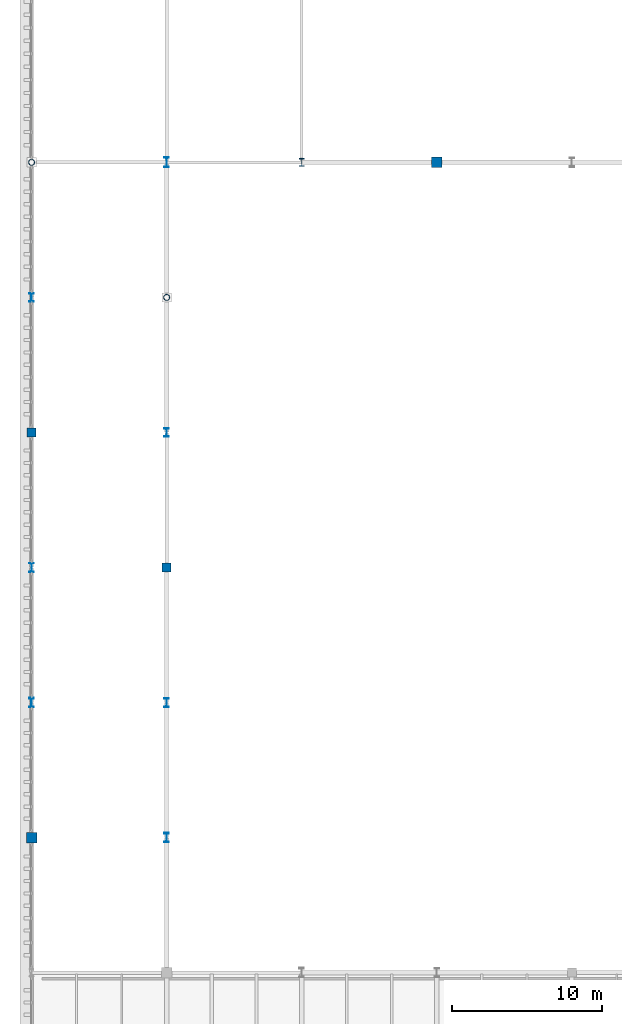
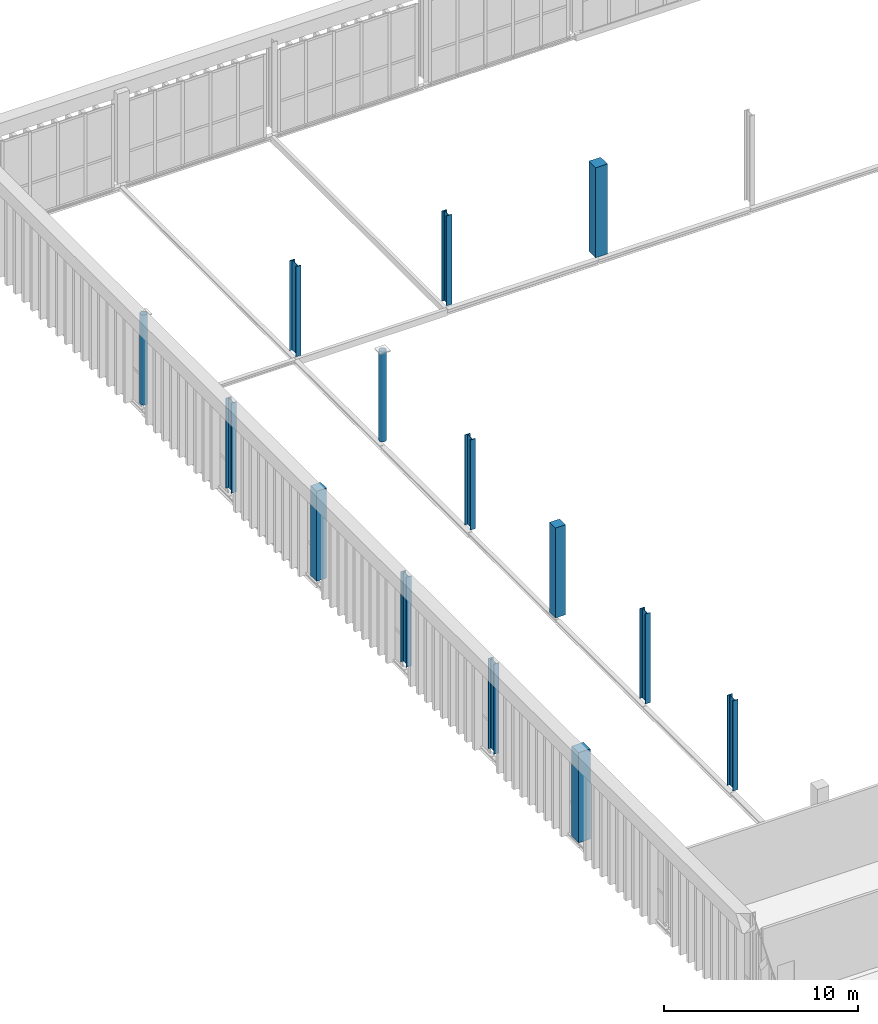
# One storey, part 8 of 237: 14 columns.
"""IFC4 building model written with IfcOpenShell, lengths in metres."""

import ifcopenshell
import ifcopenshell.guid

model = None  # the IFC model being written
_history = None  # IfcOwnerHistory: only IFC2X3 demands one
_inside = {}  # id of a spatial element -> (the spatial element, [elements in it])
_under = {}  # id of a project, library or spatial element -> (it, [spatial elements below it])
_declared = {}  # id of a project -> (the project, [libraries it declares])
_typed = {}  # id of a type object -> (the type object, [elements of that type])
_made_of = {}  # id of a material, layer set ... -> (it, [elements and type objects made of it])


def new_model(schema):
    """Start an empty IFC model of exactly this schema.

    Asked for "IFC4X3", IfcOpenShell would pick the latest addendum, in which some entities
    have other attributes; the version numbers below select the first issue.
    IFC2X3 requires an IfcOwnerHistory on every rooted entity: one is made here for all.
    """
    global model, _history
    if schema == "IFC4X3":
        model = ifcopenshell.file(schema_version=(4, 3, 0, 0))
    else:
        model = ifcopenshell.file(schema=schema)
    _inside.clear()
    _under.clear()
    _declared.clear()
    _typed.clear()
    _made_of.clear()
    _history = None
    if model.schema == "IFC2X3":
        org = make("IfcOrganization", Name="unknown")
        user = make(
            "IfcPersonAndOrganization",
            ThePerson=make("IfcPerson", FamilyName="unknown"),
            TheOrganization=org,
        )
        app = make(
            "IfcApplication",
            ApplicationDeveloper=org,
            Version="unknown",
            ApplicationFullName="unknown",
            ApplicationIdentifier="unknown",
        )
        _history = make(
            "IfcOwnerHistory",
            OwningUser=user,
            OwningApplication=app,
            ChangeAction="ADDED",
            CreationDate=0,
        )
    return model


def make(cls, **values):
    """One entity of the class cls with the attributes given. An attribute that is None is left unset."""
    return model.create_entity(
        cls, **{name: value for name, value in values.items() if value is not None}
    )


def rooted(cls, **values):
    """An entity with a GlobalId (a new one), such as an element, a storey or a relation."""
    return make(cls, GlobalId=ifcopenshell.guid.new(), OwnerHistory=_history, **values)


def si_unit(unit_type, name, prefix=None):
    """IfcSIUnit, for example si_unit("LENGTHUNIT", "METRE", prefix="MILLI")."""
    return make("IfcSIUnit", UnitType=unit_type, Prefix=prefix, Name=name)


def assignment(units):
    """IfcUnitAssignment: the units of a project."""
    return None if units is None else make("IfcUnitAssignment", Units=units)


def point(xyz):
    """IfcCartesianPoint."""
    return None if xyz is None else make("IfcCartesianPoint", Coordinates=xyz)


def direction(xyz):
    """IfcDirection."""
    return None if xyz is None else make("IfcDirection", DirectionRatios=xyz)


def frame(location, z_axis=None, x_axis=None):
    """IfcAxis2Placement3D, a coordinate frame: its origin and axes. An axis left out is left unset."""
    return make(
        "IfcAxis2Placement3D",
        Location=point(location),
        Axis=direction(z_axis),
        RefDirection=direction(x_axis),
    )


def frame_2d(location, x_axis=None):
    """IfcAxis2Placement2D, a coordinate frame in the plane: its origin and x axis."""
    return make(
        "IfcAxis2Placement2D", Location=point(location), RefDirection=direction(x_axis)
    )


def origin():
    """The frame at (0, 0, 0) with its axes left unset."""
    return frame((0.0, 0.0, 0.0))


def origin_2d():
    """The frame at (0, 0) in the plane with its x axis left unset."""
    return frame_2d((0.0, 0.0))


def place(relative_to, where):
    """IfcLocalPlacement: puts the frame where relative to a parent placement (None: the world)."""
    return make(
        "IfcLocalPlacement", PlacementRelTo=relative_to, RelativePlacement=where
    )


def context(
    kind, dimensions, precision=None, world=None, true_north=None, identifier=None
):
    """IfcGeometricRepresentationContext, for example the 3D "Model" context."""
    return make(
        "IfcGeometricRepresentationContext",
        ContextIdentifier=identifier,
        ContextType=kind,
        CoordinateSpaceDimension=dimensions,
        Precision=precision,
        WorldCoordinateSystem=world,
        TrueNorth=true_north,
    )


def subcontext(parent, identifier, kind, view, scale=None):
    """IfcGeometricRepresentationSubContext, for example "Body" below "Model"."""
    return make(
        "IfcGeometricRepresentationSubContext",
        ContextIdentifier=identifier,
        ContextType=kind,
        ParentContext=parent,
        TargetScale=scale,
        TargetView=view,
    )


def project(units=None, contexts=None):
    """IfcProject with its units and contexts."""
    return rooted(
        "IfcProject",
        Name="project",
        RepresentationContexts=contexts,
        UnitsInContext=assignment(units),
    )


def spatial(cls, under=None, at=None, **own):
    """A site, building, storey or space (cls), placed at a placement, below another one or the project."""
    s = rooted(cls, ObjectPlacement=at, **own)
    if under is not None:
        _under.setdefault(under.id(), (under, []))[1].append(s)
    return s


def profile(cls, at=None, kind="AREA", **sizes):
    """A parametric profile (cls). Its sizes go by their IFC names, for example OverallWidth=200.0."""
    return make(cls, ProfileType=kind, Position=at, **sizes)


def rectangle(**sizes):
    """IfcRectangleProfileDef."""
    return profile("IfcRectangleProfileDef", **sizes)


def hollow_circle(**sizes):
    """IfcCircleHollowProfileDef."""
    return profile("IfcCircleHollowProfileDef", **sizes)


def i_section(**sizes):
    """IfcIShapeProfileDef."""
    return profile("IfcIShapeProfileDef", **sizes)


def extrude(swept, where, along, depth):
    """IfcExtrudedAreaSolid: the profile swept, set in the frame where, extruded along a direction by depth."""
    return make(
        "IfcExtrudedAreaSolid",
        SweptArea=swept,
        Position=where,
        ExtrudedDirection=direction(along),
        Depth=depth,
    )


def shape(context_of_items, identifier, shape_type, items):
    """IfcShapeRepresentation: the items that make up one representation, for example the "Body"."""
    return make(
        "IfcShapeRepresentation",
        ContextOfItems=context_of_items,
        RepresentationIdentifier=identifier,
        RepresentationType=shape_type,
        Items=items,
    )


def material(Name=None, Category=None):
    """IfcMaterial."""
    return make("IfcMaterial", Name=Name, Category=Category)


def material_profile(
    of_material, cross_section, Name=None, Category=None, Priority=None
):
    """IfcMaterialProfile: a cross section and its material."""
    return make(
        "IfcMaterialProfile",
        Name=Name,
        Material=of_material,
        Profile=cross_section,
        Priority=Priority,
        Category=Category,
    )


def profile_set(profiles, Name=None, composite=None):
    """IfcMaterialProfileSet."""
    return make(
        "IfcMaterialProfileSet",
        Name=Name,
        MaterialProfiles=profiles,
        CompositeProfile=composite,
    )


def made_of(thing, what):
    """Note that an element or type object is made of a material, layer set ...; save() writes the relation."""
    if what is not None:
        _made_of.setdefault(what.id(), (what, []))[1].append(thing)
    return thing


def type_object(cls, material=None, **own):
    """A type object (cls), such as IfcWallType, which elements share."""
    return made_of(rooted(cls, **own), material)


def element(
    cls,
    number,
    at=None,
    inside=None,
    cuts=None,
    type_object=None,
    material=None,
    context=None,
    identifier="Body",
    shape_type=None,
    held_by="IfcProductDefinitionShape",
    body=None,
    shapes=None,
    **own,
):
    """One element of the class cls, such as IfcWall. Its Tag is "e" and its number.

    at: its placement. inside: the storey or other place that contains it. cuts: it is an
    opening in that element (IfcRelVoidsElement). A single representation is given by context,
    identifier, shape_type and body (its items); several are given by shapes. held_by: the class
    of the entity that holds the representations. save() writes the other relations.
    """
    e = rooted(cls, Tag="e%d" % number, ObjectPlacement=at, **own)
    if body is not None:
        shapes = [shape(context, identifier, shape_type, body)]
    if shapes is not None:
        e.Representation = make(held_by, Representations=shapes)
    if inside is not None:
        _inside.setdefault(inside.id(), (inside, []))[1].append(e)
    if cuts is not None:
        rooted(
            "IfcRelVoidsElement", RelatingBuildingElement=cuts, RelatedOpeningElement=e
        )
    if type_object is not None:
        _typed.setdefault(type_object.id(), (type_object, []))[1].append(e)
    return made_of(e, material)


def aggregate(whole, parts):
    """IfcRelAggregates: a whole, such as a stair, and the parts it consists of."""
    return rooted("IfcRelAggregates", RelatingObject=whole, RelatedObjects=parts)


def save(model, path):
    """Write the relations noted so far, then the file.

    IfcRelAggregates (storeys below a building ...), IfcRelContainedInSpatialStructure (elements
    in a storey), IfcRelDefinesByType, IfcRelAssociatesMaterial and IfcRelDeclares: one each for
    every whole, place, type object, material and project.
    """
    for whole, parts in _under.values():
        aggregate(whole, parts)
    for where, things in _inside.values():
        rooted(
            "IfcRelContainedInSpatialStructure",
            RelatedElements=things,
            RelatingStructure=where,
        )
    for kind, things in _typed.values():
        rooted("IfcRelDefinesByType", RelatedObjects=things, RelatingType=kind)
    for what, things in _made_of.values():
        rooted("IfcRelAssociatesMaterial", RelatedObjects=things, RelatingMaterial=what)
    for by, libraries in _declared.values():
        rooted("IfcRelDeclares", RelatingContext=by, RelatedDefinitions=libraries)
    model.write(path)


model = new_model("IFC4")

# Units and contexts
model_context = context("Model", 3, precision=1e-05, world=origin(), true_north=direction((0.0, 1.0)))
body_context = subcontext(model_context, "Body", "Model", "MODEL_VIEW")
ifc_project = project(units=[si_unit("LENGTHUNIT", "METRE"), si_unit("AREAUNIT", "SQUARE_METRE"), si_unit("VOLUMEUNIT", "CUBIC_METRE"), si_unit("PLANEANGLEUNIT", "RADIAN"), si_unit("MASSUNIT", "GRAM", prefix="KILO")], contexts=[model_context])

# Site, building, storey
site_placement = place(None, origin())
site = spatial("IfcSite", under=ifc_project, at=site_placement, CompositionType="ELEMENT")
building_placement = place(site_placement, origin())
building = spatial("IfcBuilding", under=site, at=building_placement, Name="Barlavento Convention Centre", CompositionType="ELEMENT")
storey_placement = place(building_placement, frame((0.0, 0.0, 12.0)))
storey = spatial("IfcBuildingStorey", under=building, at=storey_placement, Name="L02", CompositionType="ELEMENT", Elevation=12.0)

# Columns
ifc_material_1 = material(Name="Steel S355", Category="steel")
ifc_material_profile_1 = material_profile(ifc_material_1, hollow_circle(Radius=0.203125, WallThickness=0.01611328125, at=origin_2d()), Name="CHS 406.4x16.0")
ifc_profile_set_1 = profile_set([ifc_material_profile_1], Name="Steel S355")
column_type_1 = type_object("IfcColumnType", Name="STR-COL-CHS406", PredefinedType="COLUMN", material=ifc_profile_set_1)
for number, where, z_axis, x_axis, name in (
    (1, (0.0, 117.0, 0.0), (0.0, 0.0, 1.0), (1.0, 0.0, 0.0), "L02 column SC14"),
    (2, (9.0, 108.0, 0.0), (0.0, 0.0, 1.0), (1.0, 0.0, 0.0), "L02 column SC14"),
):
    element("IfcColumn", number, at=place(storey_placement, frame(where, z_axis=z_axis, x_axis=x_axis)), inside=storey, type_object=column_type_1, Name=name, PredefinedType="COLUMN", context=body_context, shape_type="SweptSolid", body=[
        extrude(hollow_circle(Radius=0.203125, WallThickness=0.01611328125, at=origin_2d()), origin(), (0.0, 0.0, 1.0), 5.655029296875),
    ])
ifc_material_profile_2 = material_profile(ifc_material_1, i_section(OverallWidth=0.300048828125, OverallDepth=0.60009765625, WebThickness=0.015380859375, FlangeThickness=0.030029296875, FilletRadius=0.027099609375, at=origin_2d()), Name="HEB 600")
ifc_profile_set_2 = profile_set([ifc_material_profile_2], Name="Steel S355")
column_type_2 = type_object("IfcColumnType", Name="STR-COL-HEB600", PredefinedType="COLUMN", material=ifc_profile_set_2)
for number, where, z_axis, x_axis, name in (
    (3, (0.0, 90.0, 0.0), (0.0, 0.0, 1.0), (1.0, 0.0, 0.0), "L02 column SC08"),
    (4, (9.0, 81.0, 0.0), (0.0, 0.0, 1.0), (1.0, 0.0, 0.0), "L02 column SC08"),
):
    element("IfcColumn", number, at=place(storey_placement, frame(where, z_axis=z_axis, x_axis=x_axis)), inside=storey, type_object=column_type_2, Name=name, PredefinedType="COLUMN", context=body_context, shape_type="SweptSolid", body=[
        extrude(i_section(OverallWidth=0.300048828125, OverallDepth=0.60009765625, WebThickness=0.015380859375, FlangeThickness=0.030029296875, FilletRadius=0.027099609375, at=origin_2d()), origin(), (0.0, 0.0, 1.0), 5.655029296875),
    ])
ifc_material_profile_3 = material_profile(ifc_material_1, i_section(OverallWidth=0.305908203125, OverallDepth=0.52392578125, WebThickness=0.02099609375, FlangeThickness=0.0400390625, FilletRadius=0.027099609375, at=origin_2d()), Name="HEM 500")
ifc_profile_set_3 = profile_set([ifc_material_profile_3], Name="Steel S355")
column_type_3 = type_object("IfcColumnType", Name="STR-COL-HEM500", PredefinedType="COLUMN", material=ifc_profile_set_3)
column_1_placement = place(storey_placement, frame((18.0, 117.0, 0.0), z_axis=(0.0, 0.0, 1.0), x_axis=(1.0, 0.0, 0.0)))
element("IfcColumn", 5, at=column_1_placement, inside=storey, type_object=column_type_3, Name="L02 column SC07", PredefinedType="COLUMN", context=body_context, shape_type="SweptSolid", body=[
    extrude(i_section(OverallWidth=0.305908203125, OverallDepth=0.52392578125, WebThickness=0.02099609375, FlangeThickness=0.0400390625, FilletRadius=0.027099609375, at=origin_2d()), origin(), (0.0, 0.0, 1.0), 5.655029296875),
])
ifc_material_profile_4 = material_profile(ifc_material_1, i_section(OverallWidth=0.305908203125, OverallDepth=0.572021484375, WebThickness=0.02099609375, FlangeThickness=0.0400390625, FilletRadius=0.027099609375, at=origin_2d()), Name="HEM 550")
ifc_profile_set_4 = profile_set([ifc_material_profile_4], Name="Steel S355")
column_type_4 = type_object("IfcColumnType", Name="STR-COL-HEM550", PredefinedType="COLUMN", material=ifc_profile_set_4)
for number, where, z_axis, x_axis, name in (
    (6, (0.0, 108.0, 0.0), (0.0, 0.0, 1.0), (1.0, 0.0, 0.0), "L02 column SC06"),
    (7, (9.0, 99.0, 0.0), (0.0, 0.0, 1.0), (1.0, 0.0, 0.0), "L02 column SC06"),
):
    element("IfcColumn", number, at=place(storey_placement, frame(where, z_axis=z_axis, x_axis=x_axis)), inside=storey, type_object=column_type_4, Name=name, PredefinedType="COLUMN", context=body_context, shape_type="SweptSolid", body=[
        extrude(i_section(OverallWidth=0.305908203125, OverallDepth=0.572021484375, WebThickness=0.02099609375, FlangeThickness=0.0400390625, FilletRadius=0.027099609375, at=origin_2d()), origin(), (0.0, 0.0, 1.0), 5.655029296875),
    ])
ifc_material_profile_5 = material_profile(ifc_material_1, i_section(OverallWidth=0.304931640625, OverallDepth=0.6201171875, WebThickness=0.02099609375, FlangeThickness=0.0400390625, FilletRadius=0.027099609375, at=origin_2d()), Name="HEM 600")
ifc_profile_set_5 = profile_set([ifc_material_profile_5], Name="Steel S355")
column_type_5 = type_object("IfcColumnType", Name="STR-COL-HEM600", PredefinedType="COLUMN", material=ifc_profile_set_5)
for number, where, z_axis, x_axis, name in (
    (8, (0.0, 81.0, 0.0), (0.0, 0.0, 1.0), (1.0, 0.0, 0.0), "L02 column SC05"),
    (9, (9.0, 72.0, 0.0), (0.0, 0.0, 1.0), (1.0, 0.0, 0.0), "L02 column SC05"),
):
    element("IfcColumn", number, at=place(storey_placement, frame(where, z_axis=z_axis, x_axis=x_axis)), inside=storey, type_object=column_type_5, Name=name, PredefinedType="COLUMN", context=body_context, shape_type="SweptSolid", body=[
        extrude(i_section(OverallWidth=0.304931640625, OverallDepth=0.6201171875, WebThickness=0.02099609375, FlangeThickness=0.0400390625, FilletRadius=0.027099609375, at=origin_2d()), origin(), (0.0, 0.0, 1.0), 5.655029296875),
    ])
ifc_material_2 = material(Name="Steel S460", Category="steel")
ifc_material_profile_6 = material_profile(ifc_material_2, i_section(OverallWidth=0.304931640625, OverallDepth=0.66796875, WebThickness=0.02099609375, FlangeThickness=0.0400390625, FilletRadius=0.027099609375, at=origin_2d()), Name="HEM 650")
ifc_profile_set_6 = profile_set([ifc_material_profile_6], Name="Steel S460")
column_type_6 = type_object("IfcColumnType", Name="STR-COL-HEM650", PredefinedType="COLUMN", material=ifc_profile_set_6)
column_2_placement = place(storey_placement, frame((9.0, 117.0, 0.0), z_axis=(0.0, 0.0, 1.0), x_axis=(1.0, 0.0, 0.0)))
element("IfcColumn", 10, at=column_2_placement, inside=storey, type_object=column_type_6, Name="L02 column SC04", PredefinedType="COLUMN", context=body_context, shape_type="SweptSolid", body=[
    extrude(i_section(OverallWidth=0.304931640625, OverallDepth=0.66796875, WebThickness=0.02099609375, FlangeThickness=0.0400390625, FilletRadius=0.027099609375, at=origin_2d()), origin(), (0.0, 0.0, 1.0), 5.655029296875),
])
ifc_material_3 = material(Name="Concrete C40/50", Category="concrete")
ifc_material_profile_7 = material_profile(ifc_material_3, rectangle(XDim=0.60009765625, YDim=0.60009765625, at=origin_2d()), Name="RC 600x600")
ifc_profile_set_7 = profile_set([ifc_material_profile_7], Name="Concrete C40/50")
column_type_7 = type_object("IfcColumnType", Name="STR-COL-RC600", PredefinedType="COLUMN", material=ifc_profile_set_7)
for number, where, z_axis, x_axis, name in (
    (11, (0.0, 99.0, 0.0), (0.0, 0.0, 1.0), (1.0, 0.0, 0.0), "L02 column CC07"),
    (12, (9.0, 90.0, 0.0), (0.0, 0.0, 1.0), (1.0, 0.0, 0.0), "L02 column CC07"),
):
    element("IfcColumn", number, at=place(storey_placement, frame(where, z_axis=z_axis, x_axis=x_axis)), inside=storey, type_object=column_type_7, Name=name, PredefinedType="COLUMN", context=body_context, shape_type="SweptSolid", body=[
        extrude(rectangle(XDim=0.60009765625, YDim=0.60009765625, at=origin_2d()), origin(), (0.0, 0.0, 1.0), 5.655029296875),
    ])
ifc_material_profile_8 = material_profile(ifc_material_3, rectangle(XDim=0.699951171875, YDim=0.699951171875, at=origin_2d()), Name="RC 700x700")
ifc_profile_set_8 = profile_set([ifc_material_profile_8], Name="Concrete C40/50")
column_type_8 = type_object("IfcColumnType", Name="STR-COL-RC700", PredefinedType="COLUMN", material=ifc_profile_set_8)
for number, where, z_axis, x_axis, name in (
    (13, (0.0, 72.0, 0.0), (0.0, 0.0, 1.0), (1.0, 0.0, 0.0), "L02 column CC06"),
    (14, (27.0, 117.0, 0.0), (0.0, 0.0, 1.0), (1.0, 0.0, 0.0), "L02 column CC06"),
):
    element("IfcColumn", number, at=place(storey_placement, frame(where, z_axis=z_axis, x_axis=x_axis)), inside=storey, type_object=column_type_8, Name=name, PredefinedType="COLUMN", context=body_context, shape_type="SweptSolid", body=[
        extrude(rectangle(XDim=0.699951171875, YDim=0.699951171875, at=origin_2d()), origin(), (0.0, 0.0, 1.0), 5.655029296875),
    ])

save(model, "model.ifc")
